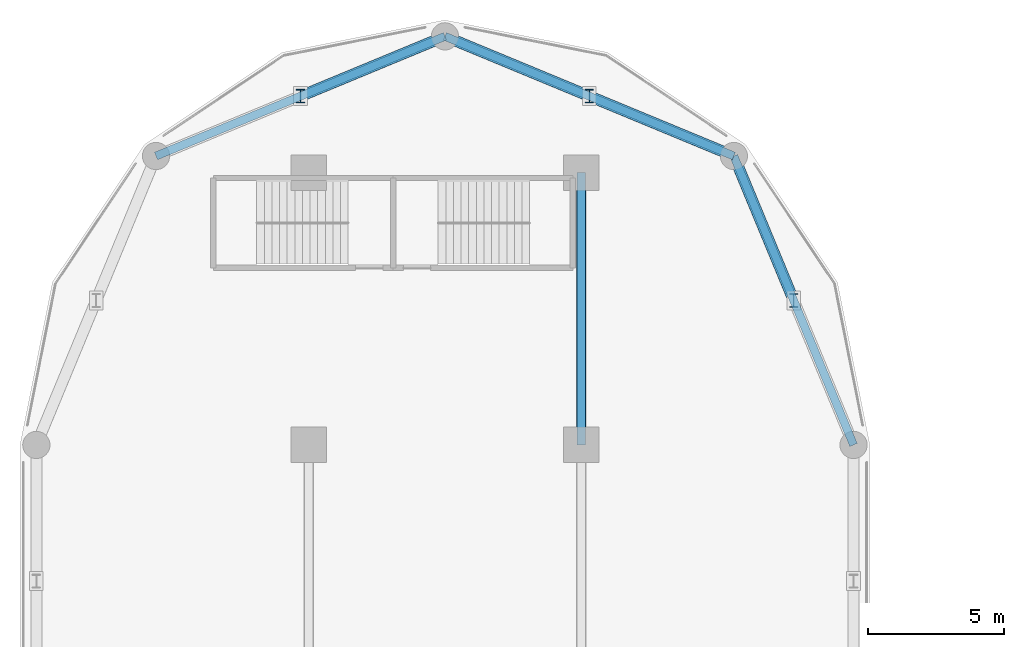
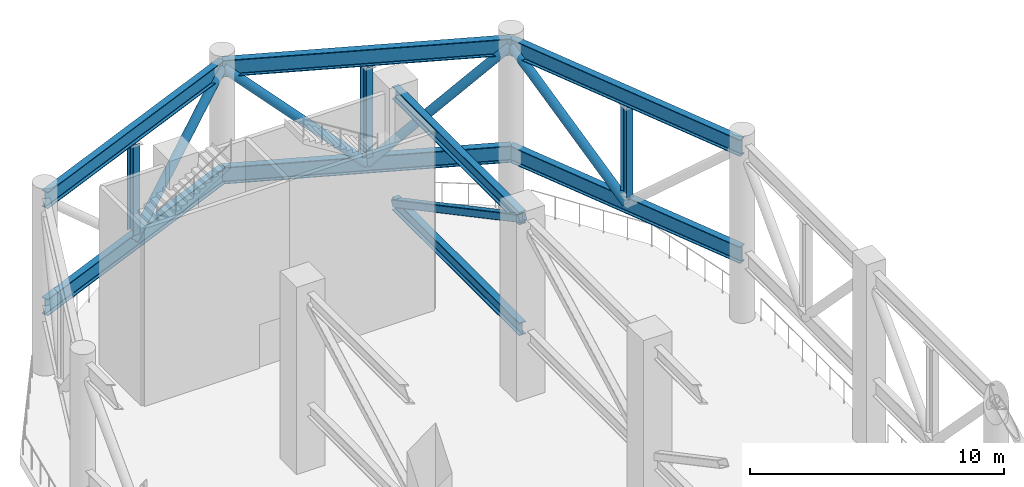
# One storey, part 5 of 13: 16 members.
"""IFC4 building model written with IfcOpenShell, lengths in metres."""

from ifc_helpers import new_model, si_unit, direction, frame, origin, origin_2d, place, context, subcontext, project, spatial, hollow_rectangle, hollow_circle, i_section, extrude, material, material_profile, profile_set, type_object, element, save


model = new_model("IFC4")

# Units and contexts
model_context = context("Model", 3, precision=1e-05, world=origin(), true_north=direction((0.0, 1.0)))
body_context = subcontext(model_context, "Body", "Model", "MODEL_VIEW")
ifc_project = project(units=[si_unit("LENGTHUNIT", "METRE"), si_unit("AREAUNIT", "SQUARE_METRE"), si_unit("VOLUMEUNIT", "CUBIC_METRE"), si_unit("PLANEANGLEUNIT", "RADIAN"), si_unit("MASSUNIT", "GRAM", prefix="KILO")], contexts=[model_context])

# Site, building, storey
site_placement = place(None, origin())
site = spatial("IfcSite", under=ifc_project, at=site_placement, CompositionType="ELEMENT")
building_placement = place(site_placement, origin())
building = spatial("IfcBuilding", under=site, at=building_placement, Name="Qaws Garden Tower", CompositionType="ELEMENT")
storey_placement = place(building_placement, frame((0.0, 0.0, 237.0)))
storey = spatial("IfcBuildingStorey", under=building, at=storey_placement, Name="L58", CompositionType="ELEMENT", Elevation=237.0)

# Members
ifc_material_1 = material(Name="Steel S355", Category="steel")
ifc_material_profile_1 = material_profile(ifc_material_1, i_section(OverallWidth=0.300048828125, OverallDepth=0.800048828125, WebThickness=0.017578125, FlangeThickness=0.032958984375, FilletRadius=0.030029296875, at=origin_2d()), Name="HEB 800")
ifc_profile_set_1 = profile_set([ifc_material_profile_1], Name="Steel S355")
member_type_1 = type_object("IfcMemberType", Name="Belt chord HEB 800", PredefinedType="CHORD", material=ifc_profile_set_1)
for number, where, z_axis, x_axis, name in (
    (1, (30.0, 60.0, 8.14990234375), (-0.382674207535, 0.923883353507, 0.0), (-0.923883353507, -0.382674207535, 0.0), "Belt truss top chord 14"),
    (2, (30.0, 60.0, 3.0), (-0.382674207535, 0.923883353507, 0.0), (-0.923883353507, -0.382674207535, 0.0), "Belt truss bottom chord 14"),
    (3, (25.606689453125, 70.606689453125, 8.14990234375), (-0.923883353507, 0.382674207535, 0.0), (-0.382674207535, -0.923883353507, 0.0), "Belt truss top chord 15"),
    (4, (25.606689453125, 70.606689453125, 3.0), (-0.923883353507, 0.382674207535, 0.0), (-0.382674207535, -0.923883353507, 0.0), "Belt truss bottom chord 15"),
    (5, (15.0, 75.0, 8.14990234375), (-0.923883353507, -0.382674207535, 0.0), (0.382674207535, -0.923883353507, 0.0), "Belt truss top chord 16"),
    (6, (15.0, 75.0, 3.0), (-0.923883353507, -0.382674207535, 0.0), (0.382674207535, -0.923883353507, 0.0), "Belt truss bottom chord 16"),
):
    element("IfcMember", number, at=place(storey_placement, frame(where, z_axis=z_axis, x_axis=x_axis)), inside=storey, type_object=member_type_1, Name=name, PredefinedType="CHORD", context=body_context, shape_type="SweptSolid", body=[
        extrude(i_section(OverallWidth=0.300048828125, OverallDepth=0.800048828125, WebThickness=0.017578125, FlangeThickness=0.032958984375, FilletRadius=0.030029296875, at=origin_2d()), origin(), (0.0, 0.0, 1.0), 11.48046875),
    ])
ifc_material_2 = material(Name="Steel S355", Category="steel")
ifc_material_profile_2 = material_profile(ifc_material_2, hollow_circle(Radius=0.203125, WallThickness=0.02001953125, at=origin_2d()), Name="CHS 406.4x20")
ifc_profile_set_2 = profile_set([ifc_material_profile_2], Name="Steel S355")
member_type_2 = type_object("IfcMemberType", Name="Belt diagonal CHS 406.4x20", PredefinedType="BRACE", material=ifc_profile_set_2)
for number, where, z_axis, x_axis, name in (
    (7, (27.80322265625, 65.30322265625, 3.0), (-0.284824802168, 0.687701364621, 0.667788638094), (-0.92389398552, -0.382648537851, 0.0), "Belt truss diagonal 14b"),
    (8, (25.606689453125, 70.606689453125, 8.14990234375), (-0.687701364621, 0.284824802168, -0.667788638094), (-0.382648537851, -0.92389398552, 0.0), "Belt truss diagonal 15a"),
):
    element("IfcMember", number, at=place(storey_placement, frame(where, z_axis=z_axis, x_axis=x_axis)), inside=storey, type_object=member_type_2, Name=name, PredefinedType="BRACE", context=body_context, shape_type="SweptSolid", body=[
        extrude(hollow_circle(Radius=0.203125, WallThickness=0.02001953125, at=origin_2d()), origin(), (0.0, 0.0, 1.0), 7.7119140625),
    ])
for number, where, z_axis, x_axis, name in (
    (9, (20.30322265625, 72.80322265625, 3.0), (-0.687678477001, 0.284860092812, 0.667797154676), (-0.382699877515, -0.923872720536, 0.0), "Belt truss diagonal 15b"),
    (10, (15.0, 75.0, 8.14990234375), (-0.687678477001, -0.284860092812, -0.667797154676), (0.382699877515, -0.923872720536, 0.0), "Belt truss diagonal 16a"),
):
    element("IfcMember", number, at=place(storey_placement, frame(where, z_axis=z_axis, x_axis=x_axis)), inside=storey, type_object=member_type_2, Name=name, PredefinedType="BRACE", context=body_context, shape_type="SweptSolid", body=[
        extrude(hollow_circle(Radius=0.203125, WallThickness=0.02001953125, at=origin_2d()), origin(), (0.0, 0.0, 1.0), 7.711669921875),
    ])
ifc_material_3 = material(Name="Steel S355", Category="steel")
ifc_material_profile_3 = material_profile(ifc_material_3, i_section(OverallWidth=0.300048828125, OverallDepth=0.5, WebThickness=0.014404296875, FlangeThickness=0.028076171875, FilletRadius=0.027099609375, at=origin_2d()), Name="HEB 500")
ifc_profile_set_3 = profile_set([ifc_material_profile_3], Name="Steel S355")
member_type_3 = type_object("IfcMemberType", Name="Belt post HEB 500", PredefinedType="POST", material=ifc_profile_set_3)
member_1_placement = place(storey_placement, frame((27.80322265625, 65.30322265625, 3.39990234375), z_axis=(0.0, 0.0, 1.0), x_axis=(1.0, 0.0, 0.0)))
element("IfcMember", 11, at=member_1_placement, inside=storey, type_object=member_type_3, Name="Belt truss post 14", PredefinedType="POST", context=body_context, shape_type="SweptSolid", body=[
    extrude(i_section(OverallWidth=0.300048828125, OverallDepth=0.5, WebThickness=0.014404296875, FlangeThickness=0.028076171875, FilletRadius=0.027099609375, at=origin_2d()), origin(), (0.0, 0.0, 1.0), 4.35009765625),
])
member_2_placement = place(storey_placement, frame((20.30322265625, 72.80322265625, 3.39990234375), z_axis=(0.0, 0.0, 1.0), x_axis=(1.0, 0.0, 0.0)))
element("IfcMember", 12, at=member_2_placement, inside=storey, type_object=member_type_3, Name="Belt truss post 15", PredefinedType="POST", context=body_context, shape_type="SweptSolid", body=[
    extrude(i_section(OverallWidth=0.300048828125, OverallDepth=0.5, WebThickness=0.014404296875, FlangeThickness=0.028076171875, FilletRadius=0.027099609375, at=origin_2d()), origin(), (0.0, 0.0, 1.0), 4.35009765625),
])
member_3_placement = place(storey_placement, frame((9.69677734375, 72.80322265625, 3.39990234375), z_axis=(0.0, 0.0, 1.0), x_axis=(1.0, 0.0, 0.0)))
element("IfcMember", 13, at=member_3_placement, inside=storey, type_object=member_type_3, Name="Belt truss post 16", PredefinedType="POST", context=body_context, shape_type="SweptSolid", body=[
    extrude(i_section(OverallWidth=0.300048828125, OverallDepth=0.5, WebThickness=0.014404296875, FlangeThickness=0.028076171875, FilletRadius=0.027099609375, at=origin_2d()), origin(), (0.0, 0.0, 1.0), 4.35009765625),
])
ifc_material_4 = material(Name="Steel S355", Category="steel")
ifc_material_profile_4 = material_profile(ifc_material_4, i_section(OverallWidth=0.304931640625, OverallDepth=0.6201171875, WebThickness=0.02099609375, FlangeThickness=0.0400390625, FilletRadius=0.027099609375, at=origin_2d()), Name="HEM 600")
ifc_profile_set_4 = profile_set([ifc_material_profile_4], Name="Steel S355")
member_type_4 = type_object("IfcMemberType", Name="Outrigger chord HEM 600", PredefinedType="CHORD", material=ifc_profile_set_4)
for number, where, z_axis, x_axis, name in (
    (14, (20.0, 60.0, 8.239990234375), (0.0, 1.0, 0.0), (-1.0, 0.0, 0.0), "Outrigger 4 top chord 5"),
    (15, (20.0, 60.0, 2.909912109375), (0.0, 1.0, 0.0), (-1.0, 0.0, 0.0), "Outrigger 4 bottom chord 5"),
):
    element("IfcMember", number, at=place(storey_placement, frame(where, z_axis=z_axis, x_axis=x_axis)), inside=storey, type_object=member_type_4, Name=name, PredefinedType="CHORD", context=body_context, shape_type="SweptSolid", body=[
        extrude(i_section(OverallWidth=0.304931640625, OverallDepth=0.6201171875, WebThickness=0.02099609375, FlangeThickness=0.0400390625, FilletRadius=0.027099609375, at=origin_2d()), origin(), (0.0, 0.0, 1.0), 10.0),
    ])
ifc_material_5 = material(Name="Steel S355", Category="steel")
ifc_material_profile_5 = material_profile(ifc_material_5, hollow_rectangle(XDim=0.35009765625, YDim=0.35009765625, WallThickness=0.02001953125, InnerFilletRadius=0.030029296875, OuterFilletRadius=0.050048828125, at=origin_2d()), Name="SHS 350x350x20")
ifc_profile_set_5 = profile_set([ifc_material_profile_5], Name="Steel S355")
member_type_5 = type_object("IfcMemberType", Name="Outrigger diagonal SHS 350x350x20", PredefinedType="BRACE", material=ifc_profile_set_5)
member_4_placement = place(storey_placement, frame((20.0, 60.0, 8.239990234375), z_axis=(0.0, 0.882472191622, -0.470364572448), x_axis=(-1.0, 0.0, 0.0)))
element("IfcMember", 16, at=member_4_placement, inside=storey, type_object=member_type_5, Name="Outrigger 4 diagonal 5", PredefinedType="BRACE", context=body_context, shape_type="SweptSolid", body=[
    extrude(hollow_rectangle(XDim=0.35009765625, YDim=0.35009765625, WallThickness=0.02001953125, InnerFilletRadius=0.030029296875, OuterFilletRadius=0.050048828125, at=origin_2d()), origin(), (0.0, 0.0, 1.0), 11.331787109375),
])

save(model, "model.ifc")
